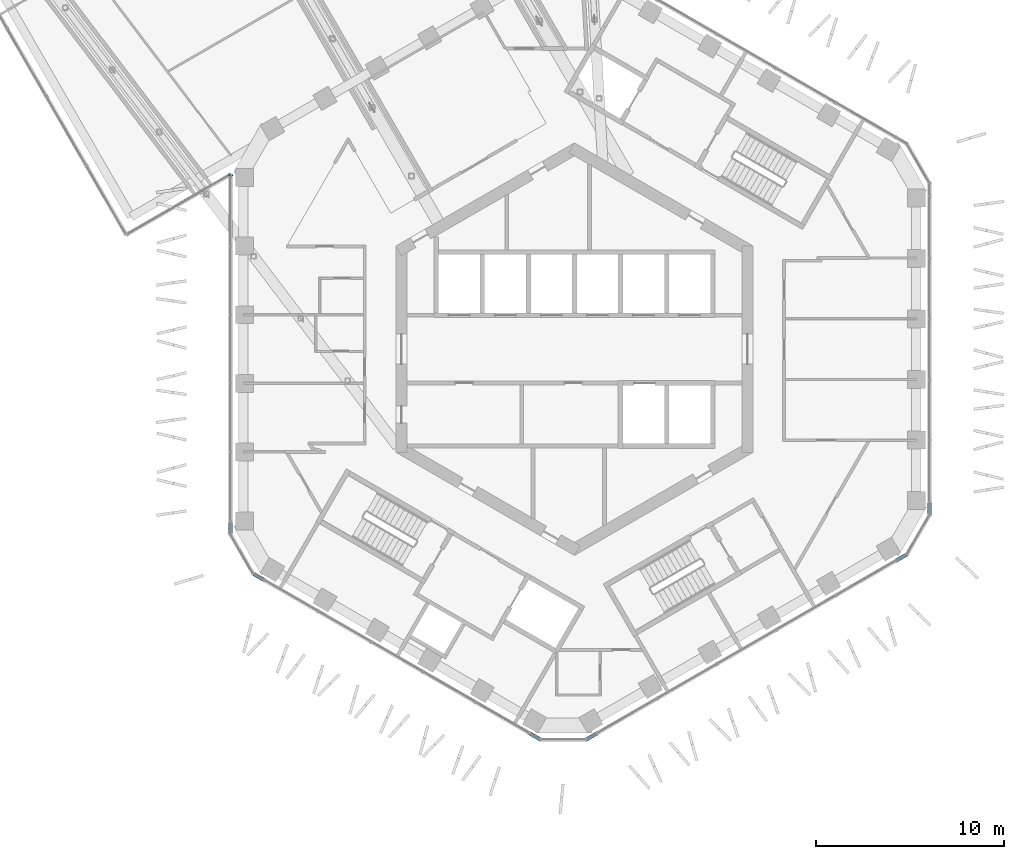
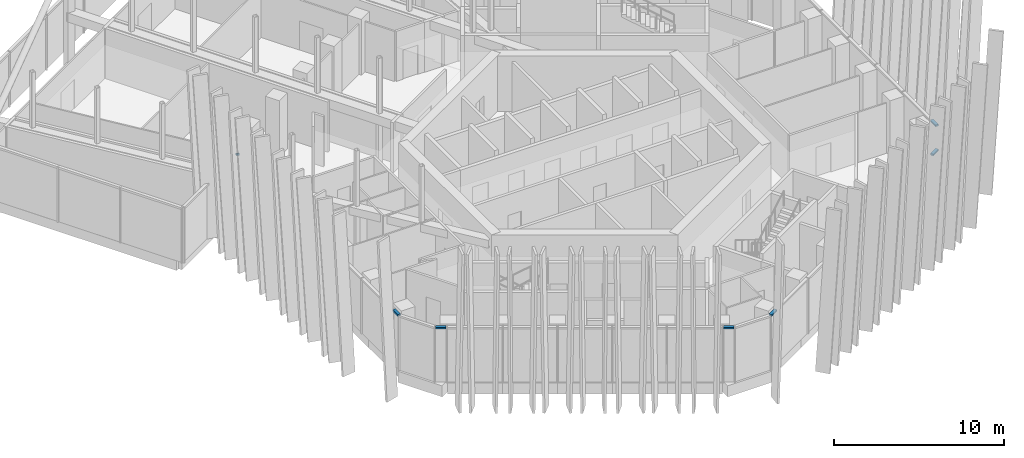
# One storey, part 10 of 29: 7 members, 4 elements without a shape of their own.
"""IFC4 building model written with IfcOpenShell, lengths in metres."""

import ifcopenshell
import ifcopenshell.guid

model = None  # the IFC model being written
_history = None  # IfcOwnerHistory: only IFC2X3 demands one
_inside = {}  # id of a spatial element -> (the spatial element, [elements in it])
_under = {}  # id of a project, library or spatial element -> (it, [spatial elements below it])
_declared = {}  # id of a project -> (the project, [libraries it declares])
_typed = {}  # id of a type object -> (the type object, [elements of that type])
_made_of = {}  # id of a material, layer set ... -> (it, [elements and type objects made of it])


def new_model(schema):
    """Start an empty IFC model of exactly this schema.

    Asked for "IFC4X3", IfcOpenShell would pick the latest addendum, in which some entities
    have other attributes; the version numbers below select the first issue.
    IFC2X3 requires an IfcOwnerHistory on every rooted entity: one is made here for all.
    """
    global model, _history
    if schema == "IFC4X3":
        model = ifcopenshell.file(schema_version=(4, 3, 0, 0))
    else:
        model = ifcopenshell.file(schema=schema)
    _inside.clear()
    _under.clear()
    _declared.clear()
    _typed.clear()
    _made_of.clear()
    _history = None
    if model.schema == "IFC2X3":
        org = make("IfcOrganization", Name="unknown")
        user = make(
            "IfcPersonAndOrganization",
            ThePerson=make("IfcPerson", FamilyName="unknown"),
            TheOrganization=org,
        )
        app = make(
            "IfcApplication",
            ApplicationDeveloper=org,
            Version="unknown",
            ApplicationFullName="unknown",
            ApplicationIdentifier="unknown",
        )
        _history = make(
            "IfcOwnerHistory",
            OwningUser=user,
            OwningApplication=app,
            ChangeAction="ADDED",
            CreationDate=0,
        )
    return model


def make(cls, **values):
    """One entity of the class cls with the attributes given. An attribute that is None is left unset."""
    return model.create_entity(
        cls, **{name: value for name, value in values.items() if value is not None}
    )


def rooted(cls, **values):
    """An entity with a GlobalId (a new one), such as an element, a storey or a relation."""
    return make(cls, GlobalId=ifcopenshell.guid.new(), OwnerHistory=_history, **values)


def si_unit(unit_type, name, prefix=None):
    """IfcSIUnit, for example si_unit("LENGTHUNIT", "METRE", prefix="MILLI")."""
    return make("IfcSIUnit", UnitType=unit_type, Prefix=prefix, Name=name)


def assignment(units):
    """IfcUnitAssignment: the units of a project."""
    return None if units is None else make("IfcUnitAssignment", Units=units)


def point(xyz):
    """IfcCartesianPoint."""
    return None if xyz is None else make("IfcCartesianPoint", Coordinates=xyz)


def direction(xyz):
    """IfcDirection."""
    return None if xyz is None else make("IfcDirection", DirectionRatios=xyz)


def frame(location, z_axis=None, x_axis=None):
    """IfcAxis2Placement3D, a coordinate frame: its origin and axes. An axis left out is left unset."""
    return make(
        "IfcAxis2Placement3D",
        Location=point(location),
        Axis=direction(z_axis),
        RefDirection=direction(x_axis),
    )


def frame_2d(location, x_axis=None):
    """IfcAxis2Placement2D, a coordinate frame in the plane: its origin and x axis."""
    return make(
        "IfcAxis2Placement2D", Location=point(location), RefDirection=direction(x_axis)
    )


def origin():
    """The frame at (0, 0, 0) with its axes left unset."""
    return frame((0.0, 0.0, 0.0))


def origin_2d():
    """The frame at (0, 0) in the plane with its x axis left unset."""
    return frame_2d((0.0, 0.0))


def place(relative_to, where):
    """IfcLocalPlacement: puts the frame where relative to a parent placement (None: the world)."""
    return make(
        "IfcLocalPlacement", PlacementRelTo=relative_to, RelativePlacement=where
    )


def context(
    kind, dimensions, precision=None, world=None, true_north=None, identifier=None
):
    """IfcGeometricRepresentationContext, for example the 3D "Model" context."""
    return make(
        "IfcGeometricRepresentationContext",
        ContextIdentifier=identifier,
        ContextType=kind,
        CoordinateSpaceDimension=dimensions,
        Precision=precision,
        WorldCoordinateSystem=world,
        TrueNorth=true_north,
    )


def subcontext(parent, identifier, kind, view, scale=None):
    """IfcGeometricRepresentationSubContext, for example "Body" below "Model"."""
    return make(
        "IfcGeometricRepresentationSubContext",
        ContextIdentifier=identifier,
        ContextType=kind,
        ParentContext=parent,
        TargetScale=scale,
        TargetView=view,
    )


def project(units=None, contexts=None):
    """IfcProject with its units and contexts."""
    return rooted(
        "IfcProject",
        Name="project",
        RepresentationContexts=contexts,
        UnitsInContext=assignment(units),
    )


def spatial(cls, under=None, at=None, **own):
    """A site, building, storey or space (cls), placed at a placement, below another one or the project."""
    s = rooted(cls, ObjectPlacement=at, **own)
    if under is not None:
        _under.setdefault(under.id(), (under, []))[1].append(s)
    return s


def profile(cls, at=None, kind="AREA", **sizes):
    """A parametric profile (cls). Its sizes go by their IFC names, for example OverallWidth=200.0."""
    return make(cls, ProfileType=kind, Position=at, **sizes)


def rectangle(**sizes):
    """IfcRectangleProfileDef."""
    return profile("IfcRectangleProfileDef", **sizes)


def extrude(swept, where, along, depth):
    """IfcExtrudedAreaSolid: the profile swept, set in the frame where, extruded along a direction by depth."""
    return make(
        "IfcExtrudedAreaSolid",
        SweptArea=swept,
        Position=where,
        ExtrudedDirection=direction(along),
        Depth=depth,
    )


def shape(context_of_items, identifier, shape_type, items):
    """IfcShapeRepresentation: the items that make up one representation, for example the "Body"."""
    return make(
        "IfcShapeRepresentation",
        ContextOfItems=context_of_items,
        RepresentationIdentifier=identifier,
        RepresentationType=shape_type,
        Items=items,
    )


def material(Name=None, Category=None):
    """IfcMaterial."""
    return make("IfcMaterial", Name=Name, Category=Category)


def layer(
    of_material, thickness, ventilated=None, Name=None, Category=None, Priority=None
):
    """IfcMaterialLayer: one layer of a wall or slab, of a material (None: an air gap)."""
    return make(
        "IfcMaterialLayer",
        Material=of_material,
        LayerThickness=thickness,
        IsVentilated=ventilated,
        Name=Name,
        Category=Category,
        Priority=Priority,
    )


def layer_set(layers, Name=None):
    """IfcMaterialLayerSet."""
    return make("IfcMaterialLayerSet", MaterialLayers=layers, LayerSetName=Name)


def material_profile(
    of_material, cross_section, Name=None, Category=None, Priority=None
):
    """IfcMaterialProfile: a cross section and its material."""
    return make(
        "IfcMaterialProfile",
        Name=Name,
        Material=of_material,
        Profile=cross_section,
        Priority=Priority,
        Category=Category,
    )


def profile_set(profiles, Name=None, composite=None):
    """IfcMaterialProfileSet."""
    return make(
        "IfcMaterialProfileSet",
        Name=Name,
        MaterialProfiles=profiles,
        CompositeProfile=composite,
    )


def made_of(thing, what):
    """Note that an element or type object is made of a material, layer set ...; save() writes the relation."""
    if what is not None:
        _made_of.setdefault(what.id(), (what, []))[1].append(thing)
    return thing


def type_object(cls, material=None, **own):
    """A type object (cls), such as IfcWallType, which elements share."""
    return made_of(rooted(cls, **own), material)


def element(
    cls,
    number,
    at=None,
    inside=None,
    cuts=None,
    type_object=None,
    material=None,
    context=None,
    identifier="Body",
    shape_type=None,
    held_by="IfcProductDefinitionShape",
    body=None,
    shapes=None,
    **own,
):
    """One element of the class cls, such as IfcWall. Its Tag is "e" and its number.

    at: its placement. inside: the storey or other place that contains it. cuts: it is an
    opening in that element (IfcRelVoidsElement). A single representation is given by context,
    identifier, shape_type and body (its items); several are given by shapes. held_by: the class
    of the entity that holds the representations. save() writes the other relations.
    """
    e = rooted(cls, Tag="e%d" % number, ObjectPlacement=at, **own)
    if body is not None:
        shapes = [shape(context, identifier, shape_type, body)]
    if shapes is not None:
        e.Representation = make(held_by, Representations=shapes)
    if inside is not None:
        _inside.setdefault(inside.id(), (inside, []))[1].append(e)
    if cuts is not None:
        rooted(
            "IfcRelVoidsElement", RelatingBuildingElement=cuts, RelatedOpeningElement=e
        )
    if type_object is not None:
        _typed.setdefault(type_object.id(), (type_object, []))[1].append(e)
    return made_of(e, material)


def aggregate(whole, parts):
    """IfcRelAggregates: a whole, such as a stair, and the parts it consists of."""
    return rooted("IfcRelAggregates", RelatingObject=whole, RelatedObjects=parts)


def save(model, path):
    """Write the relations noted so far, then the file.

    IfcRelAggregates (storeys below a building ...), IfcRelContainedInSpatialStructure (elements
    in a storey), IfcRelDefinesByType, IfcRelAssociatesMaterial and IfcRelDeclares: one each for
    every whole, place, type object, material and project.
    """
    for whole, parts in _under.values():
        aggregate(whole, parts)
    for where, things in _inside.values():
        rooted(
            "IfcRelContainedInSpatialStructure",
            RelatedElements=things,
            RelatingStructure=where,
        )
    for kind, things in _typed.values():
        rooted("IfcRelDefinesByType", RelatedObjects=things, RelatingType=kind)
    for what, things in _made_of.values():
        rooted("IfcRelAssociatesMaterial", RelatedObjects=things, RelatingMaterial=what)
    for by, libraries in _declared.values():
        rooted("IfcRelDeclares", RelatingContext=by, RelatedDefinitions=libraries)
    model.write(path)


model = new_model("IFC4")

# Units and contexts
model_context = context("Model", 3, precision=1e-05, world=origin(), true_north=direction((0.0, 1.0)))
body_context = subcontext(model_context, "Body", "Model", "MODEL_VIEW")
ifc_project = project(units=[si_unit("LENGTHUNIT", "METRE"), si_unit("AREAUNIT", "SQUARE_METRE"), si_unit("VOLUMEUNIT", "CUBIC_METRE"), si_unit("PLANEANGLEUNIT", "RADIAN"), si_unit("MASSUNIT", "GRAM", prefix="KILO")], contexts=[model_context])

# Site, building, storey
site_placement = place(None, origin())
site = spatial("IfcSite", under=ifc_project, at=site_placement, CompositionType="ELEMENT")
building_placement = place(site_placement, origin())
building = spatial("IfcBuilding", under=site, at=building_placement, Name="Ayvan Gate Tower", CompositionType="ELEMENT")
storey_placement = place(building_placement, frame((0.0, 0.0, 186.699951171875)))
storey = spatial("IfcBuildingStorey", under=building, at=storey_placement, Name="L50", CompositionType="ELEMENT", Elevation=186.699951171875)

# Curtain wall, members
ifc_material = material(Name="Bronze anodised aluminium", Category="aluminium")
ifc_layer = layer(ifc_material, 0.199951171875)
ifc_layer_set = layer_set([ifc_layer], Name="Bronze anodised aluminium")
curtain_wall_type = type_object("IfcCurtainWallType", Name="Stick curtain wall CW-6", PredefinedType="NOTDEFINED", material=ifc_layer_set)
curtain_wall_1_placement = place(storey_placement, origin())
curtain_wall_1 = element("IfcCurtainWall", 1, at=curtain_wall_1_placement, inside=storey, type_object=curtain_wall_type, Name="Stick curtain wall CW-6 L50", PredefinedType="NOTDEFINED")
ifc_material_profile = material_profile(ifc_material, rectangle(XDim=0.199951171875, YDim=0.1201171875, at=origin_2d()), Name="Stick curtain wall CW-6 transom 200 x 120")
ifc_profile_set = profile_set([ifc_material_profile], Name="Bronze anodised aluminium")
member_type = type_object("IfcMemberType", Name="Stick curtain wall CW-6 transom 200 x 120", PredefinedType="USERDEFINED", material=ifc_profile_set)
member_1_placement = place(storey_placement, frame((-18.29296875, -9.20263671875, 3.93994140625), z_axis=(0.0, -1.0, 0.0), x_axis=(1.0, 0.0, 0.0)))
member_1 = element("IfcMember", 2, at=member_1_placement, type_object=member_type, Name="CW-6 transom 1", ObjectType="TRANSOM", PredefinedType="USERDEFINED", context=body_context, shape_type="SweptSolid", body=[
    extrude(rectangle(XDim=0.199951171875, YDim=0.1201171875, at=origin_2d()), origin(), (0.0, 0.0, 1.0), 0.625),
])
member_2_placement = place(storey_placement, frame((-17.064208984375, -11.956298828125, 3.93994140625), z_axis=(0.866022959057, -0.500004234368, 0.0), x_axis=(0.500004234368, 0.866022959057, 0.0)))
member_2 = element("IfcMember", 3, at=member_2_placement, type_object=member_type, Name="CW-6 transom 3", ObjectType="TRANSOM", PredefinedType="USERDEFINED", context=body_context, shape_type="SweptSolid", body=[
    extrude(rectangle(XDim=0.199951171875, YDim=0.1201171875, at=origin_2d()), origin(), (0.0, 0.0, 1.0), 0.625),
])
aggregate(curtain_wall_1, [member_1, member_2])

curtain_wall_2_placement = place(storey_placement, origin())
curtain_wall_2 = element("IfcCurtainWall", 4, at=curtain_wall_2_placement, inside=storey, type_object=curtain_wall_type, Name="Stick curtain wall CW-6 L50", PredefinedType="NOTDEFINED")
member_3_placement = place(storey_placement, frame((-2.36376953125, -20.443603515625, 3.93994140625), z_axis=(0.866022959057, -0.500004234368, 0.0), x_axis=(0.500004234368, 0.866022959057, 0.0)))
member_3 = element("IfcMember", 5, at=member_3_placement, type_object=member_type, Name="CW-6 transom 1", ObjectType="TRANSOM", PredefinedType="USERDEFINED", context=body_context, shape_type="SweptSolid", body=[
    extrude(rectangle(XDim=0.199951171875, YDim=0.1201171875, at=origin_2d()), origin(), (0.0, 0.0, 1.0), 0.625),
])
member_4_placement = place(storey_placement, frame((0.635498046875, -20.756103515625, 3.93994140625), z_axis=(0.866022959057, 0.500004234368, 0.0), x_axis=(-0.500004234368, 0.866022959057, 0.0)))
member_4 = element("IfcMember", 6, at=member_4_placement, type_object=member_type, Name="CW-6 transom 3", ObjectType="TRANSOM", PredefinedType="USERDEFINED", context=body_context, shape_type="SweptSolid", body=[
    extrude(rectangle(XDim=0.199951171875, YDim=0.1201171875, at=origin_2d()), origin(), (0.0, 0.0, 1.0), 0.625),
])
aggregate(curtain_wall_2, [member_3, member_4])

curtain_wall_3_placement = place(storey_placement, origin())
curtain_wall_3 = element("IfcCurtainWall", 7, at=curtain_wall_3_placement, inside=storey, type_object=curtain_wall_type, Name="Stick curtain wall CW-6 L50", PredefinedType="NOTDEFINED")
member_5_placement = place(storey_placement, frame((17.116455078125, -11.240966796875, 3.93994140625), z_axis=(0.866022959057, 0.500004234368, 0.0), x_axis=(-0.500004234368, 0.866022959057, 0.0)))
member_5 = element("IfcMember", 8, at=member_5_placement, type_object=member_type, Name="CW-6 transom 1", ObjectType="TRANSOM", PredefinedType="USERDEFINED", context=body_context, shape_type="SweptSolid", body=[
    extrude(rectangle(XDim=0.199951171875, YDim=0.1201171875, at=origin_2d()), origin(), (0.0, 0.0, 1.0), 0.625),
])
member_6_placement = place(storey_placement, frame((18.886474609375, -8.7998046875, 3.93994140625), z_axis=(0.0, 1.0, 0.0), x_axis=(-1.0, 0.0, 0.0)))
member_6 = element("IfcMember", 9, at=member_6_placement, type_object=member_type, Name="CW-6 transom 3", ObjectType="TRANSOM", PredefinedType="USERDEFINED", context=body_context, shape_type="SweptSolid", body=[
    extrude(rectangle(XDim=0.199951171875, YDim=0.1201171875, at=origin_2d()), origin(), (0.0, 0.0, 1.0), 0.625),
])
aggregate(curtain_wall_3, [member_5, member_6])

# Curtain wall, member
curtain_wall_4_placement = place(storey_placement, origin())
curtain_wall_4 = element("IfcCurtainWall", 10, at=curtain_wall_4_placement, inside=storey, type_object=curtain_wall_type, Name="Stick curtain wall CW-6 L50", PredefinedType="NOTDEFINED")
member_7_placement = place(storey_placement, frame((-18.267333984375, 9.298583984375, 3.93994140625), z_axis=(-0.258121640407, -0.966112425525, 0.0), x_axis=(0.966112425525, -0.258121640407, 0.0)))
member_7 = element("IfcMember", 11, at=member_7_placement, type_object=member_type, Name="CW-6 transom 1", ObjectType="TRANSOM", PredefinedType="USERDEFINED", context=body_context, shape_type="SweptSolid", body=[
    extrude(rectangle(XDim=0.199951171875, YDim=0.1201171875, at=origin_2d()), origin(), (0.0, 0.0, 1.0), 0.099365234375),
])
aggregate(curtain_wall_4, [member_7])

save(model, "model.ifc")
